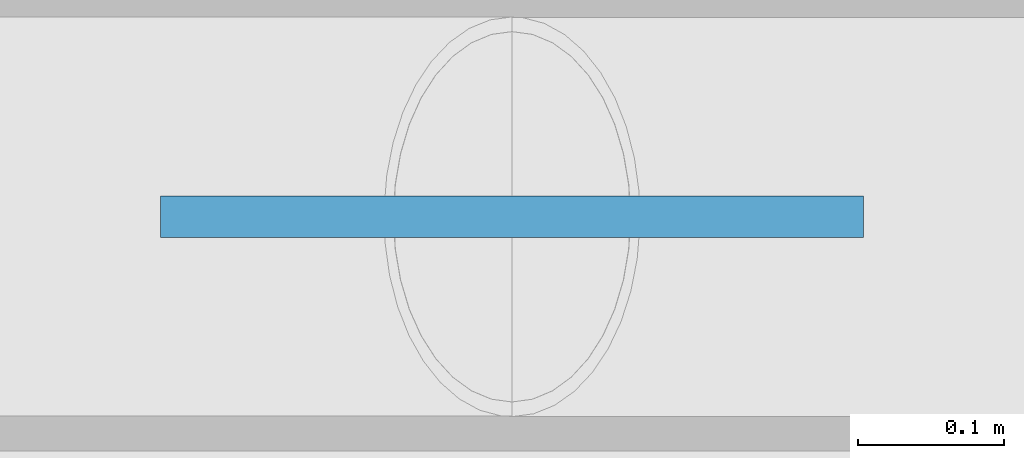
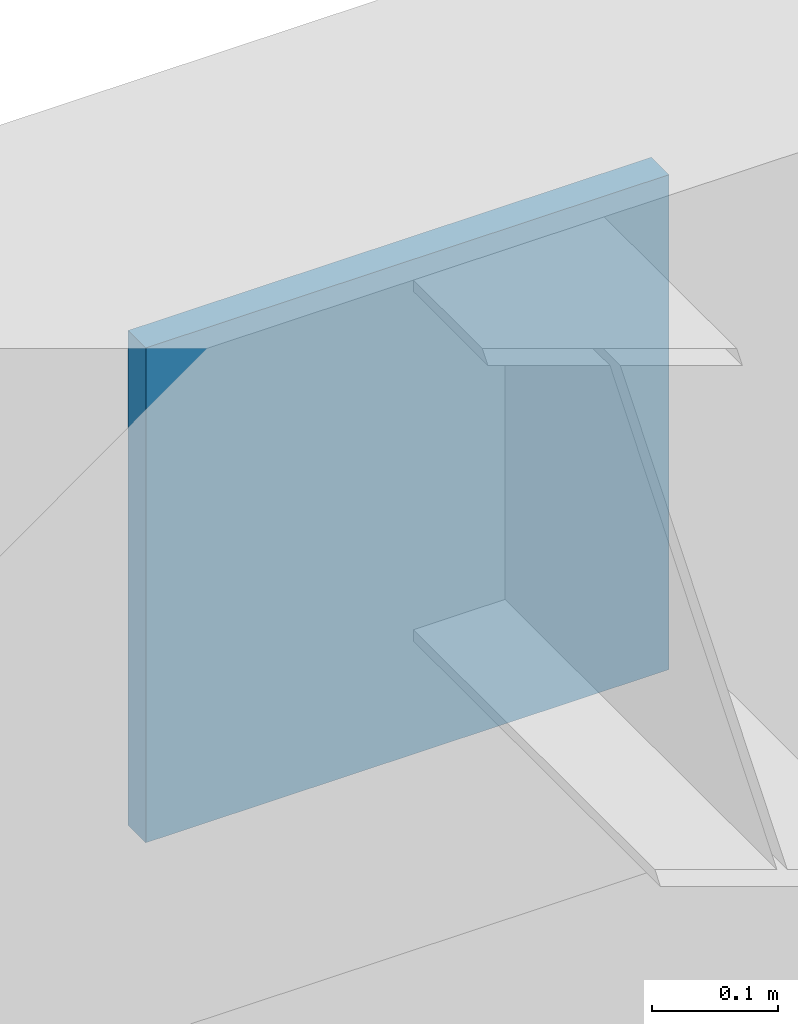
# One storey, part 12 of 27: 1 plate.
"""IFC4 building model written with IfcOpenShell, lengths in metres."""

from ifc_helpers import new_model, si_unit, direction, frame, origin, origin_2d, place, context, subcontext, project, spatial, rectangle, extrude, material, layer, layer_set, type_object, element, save


model = new_model("IFC4")

# Units and contexts
model_context = context("Model", 3, precision=1e-05, world=origin(), true_north=direction((0.0, 1.0)))
body_context = subcontext(model_context, "Body", "Model", "MODEL_VIEW")
ifc_project = project(units=[si_unit("LENGTHUNIT", "METRE"), si_unit("AREAUNIT", "SQUARE_METRE"), si_unit("VOLUMEUNIT", "CUBIC_METRE"), si_unit("PLANEANGLEUNIT", "RADIAN"), si_unit("MASSUNIT", "GRAM", prefix="KILO")], contexts=[model_context])

# Site, building, storey
site_placement = place(None, origin())
site = spatial("IfcSite", under=ifc_project, at=site_placement, CompositionType="ELEMENT")
building_placement = place(site_placement, origin())
building = spatial("IfcBuilding", under=site, at=building_placement, Name="Chengyuan Square Courthouse", CompositionType="ELEMENT")
storey_placement = place(building_placement, frame((0.0, 0.0, 39.300048828125)))
storey = spatial("IfcBuildingStorey", under=building, at=storey_placement, Name="L09", CompositionType="ELEMENT", Elevation=39.300048828125)

# Plate
ifc_material = material(Name="Steel Q355B", Category="steel")
ifc_layer = layer(ifc_material, 0.028076171875)
ifc_layer_set = layer_set([ifc_layer], Name="Steel Q355B")
plate_type = type_object("IfcPlateType", Name="GP-02", PredefinedType="SHEET", material=ifc_layer_set)
plate_placement = place(storey_placement, frame((63.0, 115.199951171875, 3.35986328125), z_axis=(0.0, 0.0, 1.0), x_axis=(1.0, 0.0, 0.0)))
element("IfcPlate", 1, at=plate_placement, inside=storey, type_object=plate_type, Name="Brace Gusset Plate GP-L09-07", PredefinedType="SHEET", context=body_context, shape_type="SweptSolid", body=[
    extrude(rectangle(XDim=0.47998046875, YDim=0.028076171875, at=origin_2d()), origin(), (0.0, 0.0, 1.0), 0.47998046875),
])

save(model, "model.ifc")
